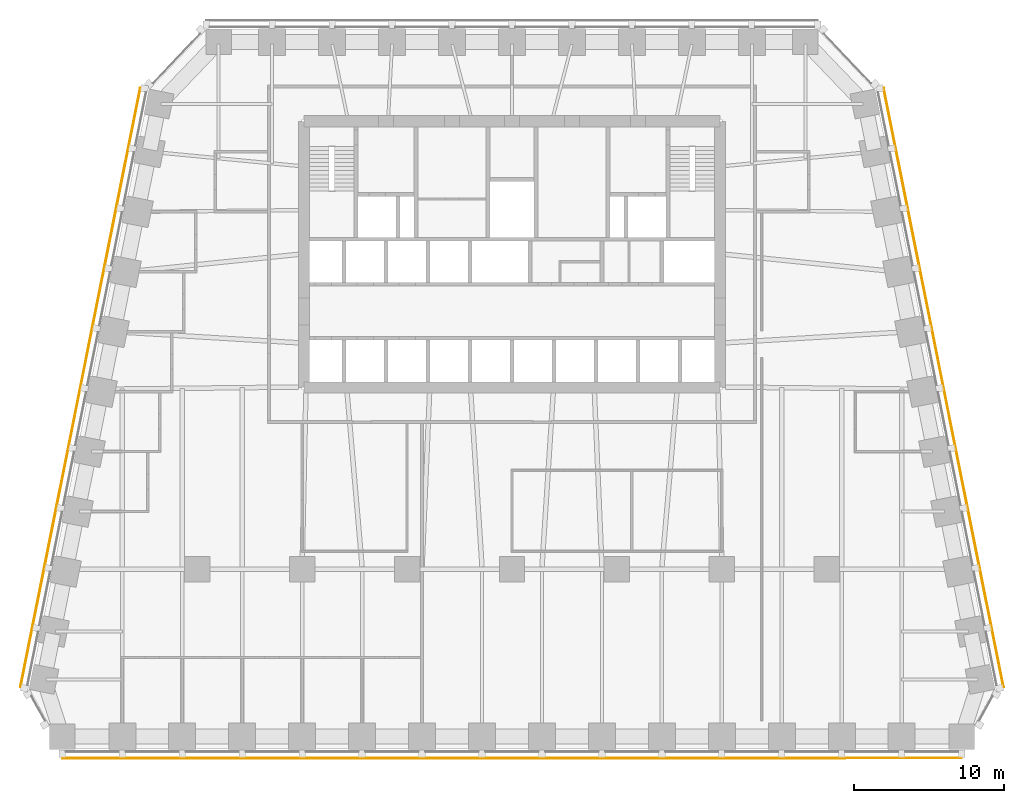
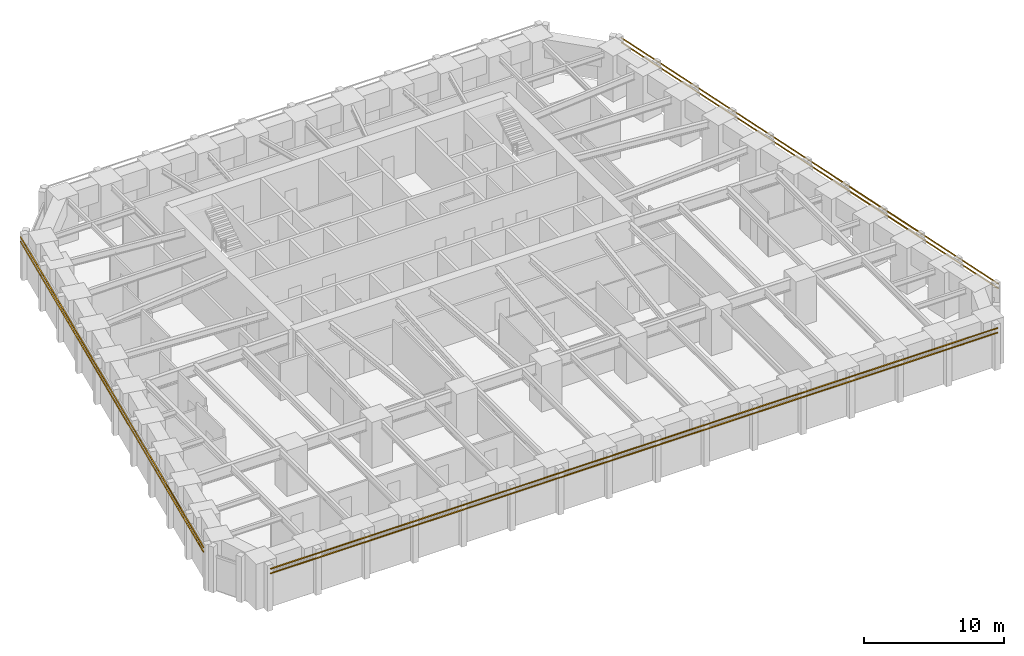
# One storey, part 9 of 10: 6 shading devices.
"""IFC4 building model written with IfcOpenShell, lengths in metres."""

from ifc_helpers import new_model, si_unit, direction, frame, origin, origin_2d, place, context, subcontext, project, spatial, rectangle, extrude, material, material_profile, profile_set, type_object, element, save


model = new_model("IFC4")

# Units and contexts
model_context = context("Model", 3, precision=1e-05, world=origin(), true_north=direction((0.0, 1.0)))
body_context = subcontext(model_context, "Body", "Model", "MODEL_VIEW")
ifc_project = project(units=[si_unit("LENGTHUNIT", "METRE"), si_unit("AREAUNIT", "SQUARE_METRE"), si_unit("VOLUMEUNIT", "CUBIC_METRE"), si_unit("PLANEANGLEUNIT", "RADIAN"), si_unit("MASSUNIT", "GRAM", prefix="KILO")], contexts=[model_context])

# Site, building, storey
site_placement = place(None, origin())
site = spatial("IfcSite", under=ifc_project, at=site_placement, CompositionType="ELEMENT")
building_placement = place(site_placement, origin())
building = spatial("IfcBuilding", under=site, at=building_placement, Name="Isbrekke Arena Tower", CompositionType="ELEMENT")
storey_placement = place(building_placement, frame((0.0, 0.0, 111.0)))
storey = spatial("IfcBuildingStorey", under=building, at=storey_placement, Name="L24", CompositionType="ELEMENT", Elevation=111.0)

# Shading devices
ifc_material = material(Name="Terracotta", Category="masonry")
ifc_material_profile = material_profile(ifc_material, rectangle(XDim=0.06005859375, YDim=0.06005859375, at=origin_2d()), Name="BAGUETTE 60X60")
ifc_profile_set = profile_set([ifc_material_profile], Name="Terracotta")
shading_device_type = type_object("IfcShadingDeviceType", Name="BG1 TERRACOTTA BAGUETTE 60 x 60", PredefinedType="USERDEFINED", material=ifc_profile_set)
for number, where, z_axis, x_axis, name in (
    (1, (-30.0, -18.60498046875, 3.280029296875), (1.0, 0.0, 0.0), (0.0, 1.0, 0.0), "BG1 terracotta baguette S1 L24"),
    (2, (-30.0, -18.60498046875, 3.679931640625), (1.0, 0.0, 0.0), (0.0, 1.0, 0.0), "BG1 terracotta baguette S2 L24"),
):
    element("IfcShadingDevice", number, at=place(storey_placement, frame(where, z_axis=z_axis, x_axis=x_axis)), inside=storey, type_object=shading_device_type, Name=name, ObjectType="TERRACOTTA BAGUETTE", PredefinedType="USERDEFINED", context=body_context, shape_type="SweptSolid", body=[
        extrude(rectangle(XDim=0.06005859375, YDim=0.06005859375, at=origin_2d()), origin(), (0.0, 0.0, 1.0), 60.0),
    ])
for number, where, z_axis, x_axis, name in (
    (3, (32.793212890625, -13.88134765625, 3.280029296875), (-0.196116135138, 0.980580675691, 0.0), (-0.980580675691, -0.196116135138, 0.0), "BG1 terracotta baguette E1 L24"),
    (4, (32.793212890625, -13.88134765625, 3.679931640625), (-0.196116135138, 0.980580675691, 0.0), (-0.980580675691, -0.196116135138, 0.0), "BG1 terracotta baguette E2 L24"),
    (5, (-24.793212890625, 26.11865234375, 3.280029296875), (-0.196116135138, -0.980580675691, 0.0), (0.980580675691, -0.196116135138, 0.0), "BG1 terracotta baguette W1 L24"),
    (6, (-24.793212890625, 26.11865234375, 3.679931640625), (-0.196116135138, -0.980580675691, 0.0), (0.980580675691, -0.196116135138, 0.0), "BG1 terracotta baguette W2 L24"),
):
    element("IfcShadingDevice", number, at=place(storey_placement, frame(where, z_axis=z_axis, x_axis=x_axis)), inside=storey, type_object=shading_device_type, Name=name, ObjectType="TERRACOTTA BAGUETTE", PredefinedType="USERDEFINED", context=body_context, shape_type="SweptSolid", body=[
        extrude(rectangle(XDim=0.06005859375, YDim=0.06005859375, at=origin_2d()), origin(), (0.0, 0.0, 1.0), 40.792236328125),
    ])

save(model, "model.ifc")
